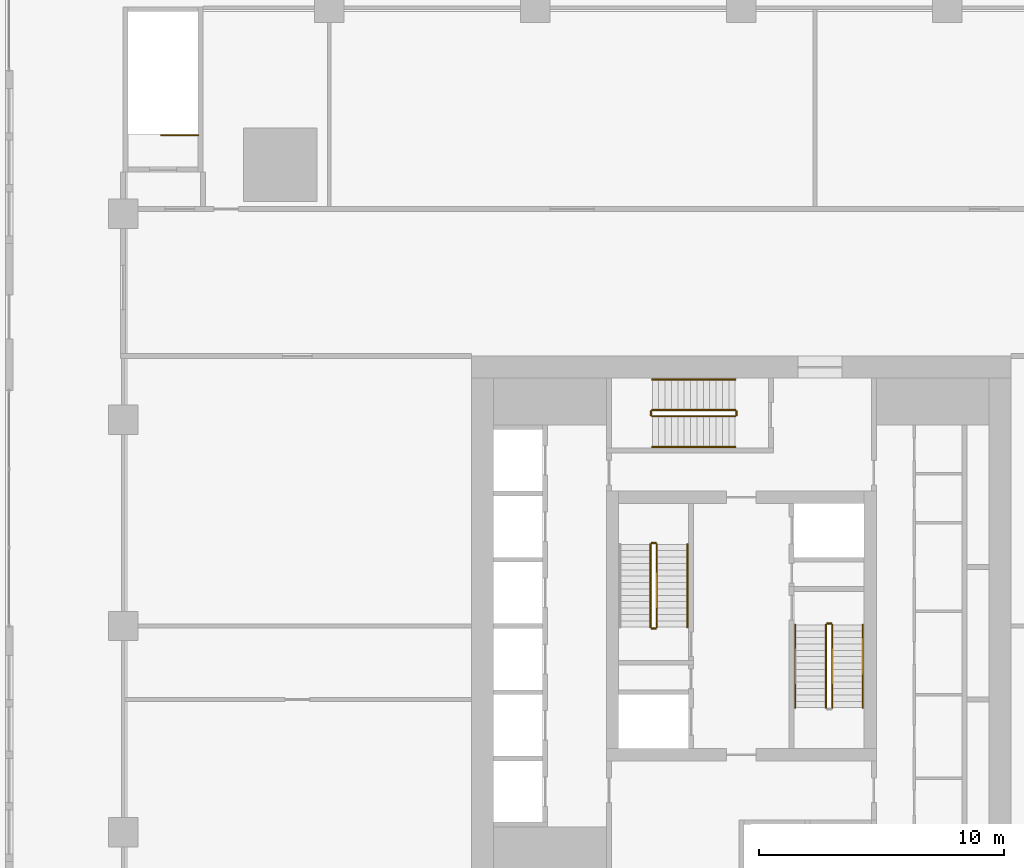
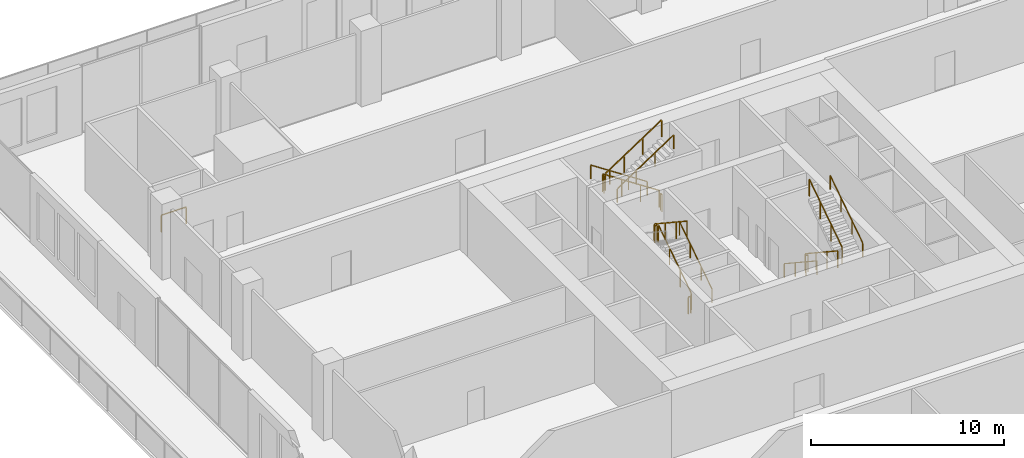
# One storey, part 21 of 22: 17 railings.
"""IFC4 building model written with IfcOpenShell, lengths in metres."""

from ifc_helpers import new_model, si_unit, direction, frame, origin, origin_2d, place, context, subcontext, project, spatial, rectangle, extrude, material, type_object, element, save


model = new_model("IFC4")

# Units and contexts
model_context = context("Model", 3, precision=1e-05, world=origin(), true_north=direction((0.0, 1.0)))
body_context = subcontext(model_context, "Body", "Model", "MODEL_VIEW")
ifc_project = project(units=[si_unit("LENGTHUNIT", "METRE"), si_unit("AREAUNIT", "SQUARE_METRE"), si_unit("VOLUMEUNIT", "CUBIC_METRE"), si_unit("PLANEANGLEUNIT", "RADIAN"), si_unit("MASSUNIT", "GRAM", prefix="KILO")], contexts=[model_context])

# Site, building, storey
site_placement = place(None, origin())
site = spatial("IfcSite", under=ifc_project, at=site_placement, CompositionType="ELEMENT")
building_placement = place(site_placement, origin())
building = spatial("IfcBuilding", under=site, at=building_placement, Name="Khepri Terraces", CompositionType="ELEMENT")
storey_placement = place(building_placement, frame((0.0, 0.0, 22.199951171875)))
storey = spatial("IfcBuildingStorey", under=building, at=storey_placement, Name="L04", CompositionType="ELEMENT", Elevation=22.199951171875)

# Railings
ifc_material = material(Name="Stainless steel 316", Category="steel")
railing_type_1 = type_object("IfcRailingType", Name="RL-CORE-GUARD", PredefinedType="GUARDRAIL", material=ifc_material)
railing_1_placement = place(storey_placement, frame((-3.449951171875, -0.050048828125, 0.17138671875)))
element("IfcRailing", 1, at=railing_1_placement, inside=storey, type_object=railing_type_1, Name="L04 ST-1 stair guard 1", PredefinedType="GUARDRAIL", context=body_context, shape_type="SweptSolid", body=[
    extrude(rectangle(XDim=0.050048828125, YDim=0.06005859375, at=origin_2d()), frame((0.0, 0.0, 1.070068359375), z_axis=(0.0, 0.834850508896, 0.550476727751), x_axis=(-1.0, 0.0, 0.0)), (0.0, 0.0, 1.0), 4.048828125),
    extrude(rectangle(XDim=0.050048828125, YDim=0.050048828125, at=origin_2d()), origin(), (0.0, 0.0, 1.0), 1.0400390625),
    extrude(rectangle(XDim=0.050048828125, YDim=0.050048828125, at=origin_2d()), frame((0.0, 1.126708984375, 0.742919921875)), (0.0, 0.0, 1.0), 1.0400390625),
    extrude(rectangle(XDim=0.050048828125, YDim=0.050048828125, at=origin_2d()), frame((0.0, 2.25341796875, 1.48583984375)), (0.0, 0.0, 1.0), 1.0400390625),
    extrude(rectangle(XDim=0.050048828125, YDim=0.050048828125, at=origin_2d()), frame((0.0, 3.380126953125, 2.228759765625)), (0.0, 0.0, 1.0), 1.0400390625),
])
railing_2_placement = place(storey_placement, frame((-3.5, 3.3798828125, 2.400146484375)))
element("IfcRailing", 2, at=railing_2_placement, inside=storey, type_object=railing_type_1, Name="L04 ST-1 stair guard 2", PredefinedType="GUARDRAIL", context=body_context, shape_type="SweptSolid", body=[
    extrude(rectangle(XDim=0.050048828125, YDim=0.06005859375, at=origin_2d()), frame((0.0, 0.0, 1.070068359375), z_axis=(-1.0, 0.0, 0.0), x_axis=(0.0, -1.0, 0.0)), (0.0, 0.0, 1.0), 0.14990234375),
    extrude(rectangle(XDim=0.050048828125, YDim=0.050048828125, at=origin_2d()), origin(), (0.0, 0.0, 1.0), 1.0400390625),
    extrude(rectangle(XDim=0.050048828125, YDim=0.050048828125, at=origin_2d()), frame((-0.14990234375, 0.0, 0.0)), (0.0, 0.0, 1.0), 1.0400390625),
])
railing_3_placement = place(storey_placement, frame((-3.699951171875, 3.330078125, 2.571533203125)))
element("IfcRailing", 3, at=railing_3_placement, inside=storey, type_object=railing_type_1, Name="L04 ST-1 stair guard 3", PredefinedType="GUARDRAIL", context=body_context, shape_type="SweptSolid", body=[
    extrude(rectangle(XDim=0.050048828125, YDim=0.06005859375, at=origin_2d()), frame((0.0, 0.0, 1.070068359375), z_axis=(0.0, -0.834878220475, 0.550434698194), x_axis=(1.0, 0.0, 0.0)), (0.0, 0.0, 1.0), 4.048583984375),
    extrude(rectangle(XDim=0.050048828125, YDim=0.050048828125, at=origin_2d()), origin(), (0.0, 0.0, 1.0), 1.0400390625),
    extrude(rectangle(XDim=0.050048828125, YDim=0.050048828125, at=origin_2d()), frame((0.0, -1.126708984375, 0.742919921875)), (0.0, 0.0, 1.0), 1.0400390625),
    extrude(rectangle(XDim=0.050048828125, YDim=0.050048828125, at=origin_2d()), frame((0.0, -2.25341796875, 1.485595703125)), (0.0, 0.0, 1.0), 1.0400390625),
    extrude(rectangle(XDim=0.050048828125, YDim=0.050048828125, at=origin_2d()), frame((0.0, -3.380126953125, 2.228515625)), (0.0, 0.0, 1.0), 1.0400390625),
])
railing_4_placement = place(storey_placement, frame((-3.5, -0.10009765625, 0.0)))
element("IfcRailing", 4, at=railing_4_placement, inside=storey, type_object=railing_type_1, Name="L04 ST-1 stair guard 4", PredefinedType="GUARDRAIL", context=body_context, shape_type="SweptSolid", body=[
    extrude(rectangle(XDim=0.050048828125, YDim=0.06005859375, at=origin_2d()), frame((0.0, 0.0, 1.070068359375), z_axis=(-1.0, 0.0, 0.0), x_axis=(0.0, -1.0, 0.0)), (0.0, 0.0, 1.0), 0.14990234375),
    extrude(rectangle(XDim=0.050048828125, YDim=0.050048828125, at=origin_2d()), origin(), (0.0, 0.0, 1.0), 1.0400390625),
    extrude(rectangle(XDim=0.050048828125, YDim=0.050048828125, at=origin_2d()), frame((-0.14990234375, 0.0, 0.0)), (0.0, 0.0, 1.0), 1.0400390625),
])
railing_5_placement = place(storey_placement, frame((3.449951171875, 0.050048828125, 0.17138671875)))
element("IfcRailing", 5, at=railing_5_placement, inside=storey, type_object=railing_type_1, Name="L04 ST-2 stair guard 1", PredefinedType="GUARDRAIL", context=body_context, shape_type="SweptSolid", body=[
    extrude(rectangle(XDim=0.050048828125, YDim=0.06005859375, at=origin_2d()), frame((0.0, 0.0, 1.070068359375), z_axis=(0.0, -0.834850508896, 0.550476727751), x_axis=(1.0, 0.0, 0.0)), (0.0, 0.0, 1.0), 4.048828125),
    extrude(rectangle(XDim=0.050048828125, YDim=0.050048828125, at=origin_2d()), origin(), (0.0, 0.0, 1.0), 1.0400390625),
    extrude(rectangle(XDim=0.050048828125, YDim=0.050048828125, at=origin_2d()), frame((0.0, -1.126708984375, 0.742919921875)), (0.0, 0.0, 1.0), 1.0400390625),
    extrude(rectangle(XDim=0.050048828125, YDim=0.050048828125, at=origin_2d()), frame((0.0, -2.25341796875, 1.48583984375)), (0.0, 0.0, 1.0), 1.0400390625),
    extrude(rectangle(XDim=0.050048828125, YDim=0.050048828125, at=origin_2d()), frame((0.0, -3.380126953125, 2.228759765625)), (0.0, 0.0, 1.0), 1.0400390625),
])
railing_6_placement = place(storey_placement, frame((3.699951171875, -3.330078125, 2.571533203125)))
element("IfcRailing", 6, at=railing_6_placement, inside=storey, type_object=railing_type_1, Name="L04 ST-2 stair guard 3", PredefinedType="GUARDRAIL", context=body_context, shape_type="SweptSolid", body=[
    extrude(rectangle(XDim=0.050048828125, YDim=0.06005859375, at=origin_2d()), frame((0.0, 0.0, 1.070068359375), z_axis=(0.0, 0.834878220475, 0.550434698194), x_axis=(-1.0, 0.0, 0.0)), (0.0, 0.0, 1.0), 4.048583984375),
    extrude(rectangle(XDim=0.050048828125, YDim=0.050048828125, at=origin_2d()), origin(), (0.0, 0.0, 1.0), 1.0400390625),
    extrude(rectangle(XDim=0.050048828125, YDim=0.050048828125, at=origin_2d()), frame((0.0, 1.126708984375, 0.742919921875)), (0.0, 0.0, 1.0), 1.0400390625),
    extrude(rectangle(XDim=0.050048828125, YDim=0.050048828125, at=origin_2d()), frame((0.0, 2.25341796875, 1.485595703125)), (0.0, 0.0, 1.0), 1.0400390625),
    extrude(rectangle(XDim=0.050048828125, YDim=0.050048828125, at=origin_2d()), frame((0.0, 3.380126953125, 2.228515625)), (0.0, 0.0, 1.0), 1.0400390625),
])
railing_7_placement = place(storey_placement, frame((3.5, 0.10009765625, 0.0)))
element("IfcRailing", 7, at=railing_7_placement, inside=storey, type_object=railing_type_1, Name="L04 ST-2 stair guard 4", PredefinedType="GUARDRAIL", context=body_context, shape_type="SweptSolid", body=[
    extrude(rectangle(XDim=0.050048828125, YDim=0.06005859375, at=origin_2d()), frame((0.0, 0.0, 1.070068359375), z_axis=(1.0, 0.0, 0.0), x_axis=(0.0, 1.0, 0.0)), (0.0, 0.0, 1.0), 0.14990234375),
    extrude(rectangle(XDim=0.050048828125, YDim=0.050048828125, at=origin_2d()), origin(), (0.0, 0.0, 1.0), 1.0400390625),
    extrude(rectangle(XDim=0.050048828125, YDim=0.050048828125, at=origin_2d()), frame((0.14990234375, 0.0, 0.0)), (0.0, 0.0, 1.0), 1.0400390625),
])
railing_8_placement = place(storey_placement, frame((-0.25, 8.800048828125, 0.17138671875)))
element("IfcRailing", 8, at=railing_8_placement, inside=storey, type_object=railing_type_1, Name="L04 ST-3 stair guard 1", PredefinedType="GUARDRAIL", context=body_context, shape_type="SweptSolid", body=[
    extrude(rectangle(XDim=0.050048828125, YDim=0.06005859375, at=origin_2d()), frame((0.0, 0.0, 1.070068359375), z_axis=(-0.834832235197, 0.0, 0.55050444056), x_axis=(0.0, -1.0, 0.0)), (0.0, 0.0, 1.0), 4.048583984375),
    extrude(rectangle(XDim=0.050048828125, YDim=0.050048828125, at=origin_2d()), origin(), (0.0, 0.0, 1.0), 1.0400390625),
    extrude(rectangle(XDim=0.050048828125, YDim=0.050048828125, at=origin_2d()), frame((-1.126708984375, 0.0, 0.742919921875)), (0.0, 0.0, 1.0), 1.0400390625),
    extrude(rectangle(XDim=0.050048828125, YDim=0.050048828125, at=origin_2d()), frame((-2.253173828125, 0.0, 1.48583984375)), (0.0, 0.0, 1.0), 1.0400390625),
    extrude(rectangle(XDim=0.050048828125, YDim=0.050048828125, at=origin_2d()), frame((-3.3798828125, 0.0, 2.228759765625)), (0.0, 0.0, 1.0), 1.0400390625),
])
railing_9_placement = place(storey_placement, frame((-3.679931640625, 8.75, 2.400146484375)))
element("IfcRailing", 9, at=railing_9_placement, inside=storey, type_object=railing_type_1, Name="L04 ST-3 stair guard 2", PredefinedType="GUARDRAIL", context=body_context, shape_type="SweptSolid", body=[
    extrude(rectangle(XDim=0.050048828125, YDim=0.06005859375, at=origin_2d()), frame((0.0, 0.0, 1.070068359375), z_axis=(0.0, -1.0, 0.0), x_axis=(1.0, 0.0, 0.0)), (0.0, 0.0, 1.0), 0.14990234375),
    extrude(rectangle(XDim=0.050048828125, YDim=0.050048828125, at=origin_2d()), origin(), (0.0, 0.0, 1.0), 1.0400390625),
    extrude(rectangle(XDim=0.050048828125, YDim=0.050048828125, at=origin_2d()), frame((0.0, -0.14990234375, 0.0)), (0.0, 0.0, 1.0), 1.0400390625),
])
railing_10_placement = place(storey_placement, frame((-3.6298828125, 8.550048828125, 2.571533203125)))
element("IfcRailing", 10, at=railing_10_placement, inside=storey, type_object=railing_type_1, Name="L04 ST-3 stair guard 3", PredefinedType="GUARDRAIL", context=body_context, shape_type="SweptSolid", body=[
    extrude(rectangle(XDim=0.050048828125, YDim=0.06005859375, at=origin_2d()), frame((0.0, 0.0, 1.070068359375), z_axis=(0.83485994896, 0.0, 0.550462410727), x_axis=(0.0, 1.0, 0.0)), (0.0, 0.0, 1.0), 4.04833984375),
    extrude(rectangle(XDim=0.050048828125, YDim=0.050048828125, at=origin_2d()), origin(), (0.0, 0.0, 1.0), 1.0400390625),
    extrude(rectangle(XDim=0.050048828125, YDim=0.050048828125, at=origin_2d()), frame((1.126708984375, 0.0, 0.742919921875)), (0.0, 0.0, 1.0), 1.0400390625),
    extrude(rectangle(XDim=0.050048828125, YDim=0.050048828125, at=origin_2d()), frame((2.253173828125, 0.0, 1.485595703125)), (0.0, 0.0, 1.0), 1.0400390625),
    extrude(rectangle(XDim=0.050048828125, YDim=0.050048828125, at=origin_2d()), frame((3.3798828125, 0.0, 2.228515625)), (0.0, 0.0, 1.0), 1.0400390625),
])
railing_11_placement = place(storey_placement, frame((-0.199951171875, 8.75, 0.0)))
element("IfcRailing", 11, at=railing_11_placement, inside=storey, type_object=railing_type_1, Name="L04 ST-3 stair guard 4", PredefinedType="GUARDRAIL", context=body_context, shape_type="SweptSolid", body=[
    extrude(rectangle(XDim=0.050048828125, YDim=0.06005859375, at=origin_2d()), frame((0.0, 0.0, 1.070068359375), z_axis=(0.0, -1.0, 0.0), x_axis=(1.0, 0.0, 0.0)), (0.0, 0.0, 1.0), 0.14990234375),
    extrude(rectangle(XDim=0.050048828125, YDim=0.050048828125, at=origin_2d()), origin(), (0.0, 0.0, 1.0), 1.0400390625),
    extrude(rectangle(XDim=0.050048828125, YDim=0.050048828125, at=origin_2d()), frame((0.0, -0.14990234375, 0.0)), (0.0, 0.0, 1.0), 1.0400390625),
])
railing_type_2 = type_object("IfcRailingType", Name="RL-CORE-HANDRAIL", PredefinedType="HANDRAIL", material=ifc_material)
railing_12_placement = place(storey_placement, frame((-2.199951171875, -0.050048828125, 0.17138671875)))
element("IfcRailing", 12, at=railing_12_placement, inside=storey, type_object=railing_type_2, Name="L04 ST-1 stair handrail 1", PredefinedType="HANDRAIL", context=body_context, shape_type="SweptSolid", body=[
    extrude(rectangle(XDim=0.050048828125, YDim=0.050048828125, at=origin_2d()), frame((0.0, 0.0, 0.875), z_axis=(0.0, 0.834850508896, 0.550476727751), x_axis=(-1.0, 0.0, 0.0)), (0.0, 0.0, 1.0), 4.048828125),
    extrude(rectangle(XDim=0.050048828125, YDim=0.050048828125, at=origin_2d()), origin(), (0.0, 0.0, 1.0), 0.849853515625),
    extrude(rectangle(XDim=0.050048828125, YDim=0.050048828125, at=origin_2d()), frame((0.0, 1.126708984375, 0.742919921875)), (0.0, 0.0, 1.0), 0.849853515625),
    extrude(rectangle(XDim=0.050048828125, YDim=0.050048828125, at=origin_2d()), frame((0.0, 2.25341796875, 1.48583984375)), (0.0, 0.0, 1.0), 0.849853515625),
    extrude(rectangle(XDim=0.050048828125, YDim=0.050048828125, at=origin_2d()), frame((0.0, 3.380126953125, 2.228759765625)), (0.0, 0.0, 1.0), 0.849853515625),
])
railing_13_placement = place(storey_placement, frame((2.199951171875, 0.050048828125, 0.17138671875)))
element("IfcRailing", 13, at=railing_13_placement, inside=storey, type_object=railing_type_2, Name="L04 ST-2 stair handrail 1", PredefinedType="HANDRAIL", context=body_context, shape_type="SweptSolid", body=[
    extrude(rectangle(XDim=0.050048828125, YDim=0.050048828125, at=origin_2d()), frame((0.0, 0.0, 0.875), z_axis=(0.0, -0.834850508896, 0.550476727751), x_axis=(1.0, 0.0, 0.0)), (0.0, 0.0, 1.0), 4.048828125),
    extrude(rectangle(XDim=0.050048828125, YDim=0.050048828125, at=origin_2d()), origin(), (0.0, 0.0, 1.0), 0.849853515625),
    extrude(rectangle(XDim=0.050048828125, YDim=0.050048828125, at=origin_2d()), frame((0.0, -1.126708984375, 0.742919921875)), (0.0, 0.0, 1.0), 0.849853515625),
    extrude(rectangle(XDim=0.050048828125, YDim=0.050048828125, at=origin_2d()), frame((0.0, -2.25341796875, 1.48583984375)), (0.0, 0.0, 1.0), 0.849853515625),
    extrude(rectangle(XDim=0.050048828125, YDim=0.050048828125, at=origin_2d()), frame((0.0, -3.380126953125, 2.228759765625)), (0.0, 0.0, 1.0), 0.849853515625),
])
railing_14_placement = place(storey_placement, frame((4.949951171875, -3.330078125, 2.571533203125)))
element("IfcRailing", 14, at=railing_14_placement, inside=storey, type_object=railing_type_2, Name="L04 ST-2 stair handrail 2", PredefinedType="HANDRAIL", context=body_context, shape_type="SweptSolid", body=[
    extrude(rectangle(XDim=0.050048828125, YDim=0.050048828125, at=origin_2d()), frame((0.0, 0.0, 0.875), z_axis=(0.0, 0.834878220475, 0.550434698194), x_axis=(-1.0, 0.0, 0.0)), (0.0, 0.0, 1.0), 4.048583984375),
    extrude(rectangle(XDim=0.050048828125, YDim=0.050048828125, at=origin_2d()), origin(), (0.0, 0.0, 1.0), 0.849853515625),
    extrude(rectangle(XDim=0.050048828125, YDim=0.050048828125, at=origin_2d()), frame((0.0, 1.126708984375, 0.742919921875)), (0.0, 0.0, 1.0), 0.849853515625),
    extrude(rectangle(XDim=0.050048828125, YDim=0.050048828125, at=origin_2d()), frame((0.0, 2.25341796875, 1.485595703125)), (0.0, 0.0, 1.0), 0.849853515625),
    extrude(rectangle(XDim=0.050048828125, YDim=0.050048828125, at=origin_2d()), frame((0.0, 3.380126953125, 2.228515625)), (0.0, 0.0, 1.0), 0.849853515625),
])
railing_15_placement = place(storey_placement, frame((-0.25, 10.050048828125, 0.17138671875)))
element("IfcRailing", 15, at=railing_15_placement, inside=storey, type_object=railing_type_2, Name="L04 ST-3 stair handrail 1", PredefinedType="HANDRAIL", context=body_context, shape_type="SweptSolid", body=[
    extrude(rectangle(XDim=0.050048828125, YDim=0.050048828125, at=origin_2d()), frame((0.0, 0.0, 0.875), z_axis=(-0.834832235197, 0.0, 0.55050444056), x_axis=(0.0, -1.0, 0.0)), (0.0, 0.0, 1.0), 4.048583984375),
    extrude(rectangle(XDim=0.050048828125, YDim=0.050048828125, at=origin_2d()), origin(), (0.0, 0.0, 1.0), 0.849853515625),
    extrude(rectangle(XDim=0.050048828125, YDim=0.050048828125, at=origin_2d()), frame((-1.126708984375, 0.0, 0.742919921875)), (0.0, 0.0, 1.0), 0.849853515625),
    extrude(rectangle(XDim=0.050048828125, YDim=0.050048828125, at=origin_2d()), frame((-2.253173828125, 0.0, 1.48583984375)), (0.0, 0.0, 1.0), 0.849853515625),
    extrude(rectangle(XDim=0.050048828125, YDim=0.050048828125, at=origin_2d()), frame((-3.3798828125, 0.0, 2.228759765625)), (0.0, 0.0, 1.0), 0.849853515625),
])
railing_16_placement = place(storey_placement, frame((-3.6298828125, 7.300048828125, 2.571533203125)))
element("IfcRailing", 16, at=railing_16_placement, inside=storey, type_object=railing_type_2, Name="L04 ST-3 stair handrail 2", PredefinedType="HANDRAIL", context=body_context, shape_type="SweptSolid", body=[
    extrude(rectangle(XDim=0.050048828125, YDim=0.050048828125, at=origin_2d()), frame((0.0, 0.0, 0.875), z_axis=(0.83485994896, 0.0, 0.550462410727), x_axis=(0.0, 1.0, 0.0)), (0.0, 0.0, 1.0), 4.04833984375),
    extrude(rectangle(XDim=0.050048828125, YDim=0.050048828125, at=origin_2d()), origin(), (0.0, 0.0, 1.0), 0.849853515625),
    extrude(rectangle(XDim=0.050048828125, YDim=0.050048828125, at=origin_2d()), frame((1.126708984375, 0.0, 0.742919921875)), (0.0, 0.0, 1.0), 0.849853515625),
    extrude(rectangle(XDim=0.050048828125, YDim=0.050048828125, at=origin_2d()), frame((2.253173828125, 0.0, 1.485595703125)), (0.0, 0.0, 1.0), 0.849853515625),
    extrude(rectangle(XDim=0.050048828125, YDim=0.050048828125, at=origin_2d()), frame((3.3798828125, 0.0, 2.228515625)), (0.0, 0.0, 1.0), 0.849853515625),
])
railing_type_3 = type_object("IfcRailingType", Name="RL-POD-GUARD", PredefinedType="GUARDRAIL", material=ifc_material)
railing_17_placement = place(storey_placement, frame((-22.14990234375, 20.0, 0.0)))
element("IfcRailing", 17, at=railing_17_placement, inside=storey, type_object=railing_type_3, Name="L04 PS-2 top well guard 1", PredefinedType="GUARDRAIL", context=body_context, shape_type="SweptSolid", body=[
    extrude(rectangle(XDim=0.050048828125, YDim=0.06005859375, at=origin_2d()), frame((0.0, 0.0, 1.070068359375), z_axis=(-1.0, 0.0, 0.0), x_axis=(0.0, -1.0, 0.0)), (0.0, 0.0, 1.0), 1.5),
    extrude(rectangle(XDim=0.050048828125, YDim=0.050048828125, at=origin_2d()), origin(), (0.0, 0.0, 1.0), 1.0400390625),
    extrude(rectangle(XDim=0.050048828125, YDim=0.050048828125, at=origin_2d()), frame((-1.5, 0.0, 0.0)), (0.0, 0.0, 1.0), 1.0400390625),
])

save(model, "model.ifc")
